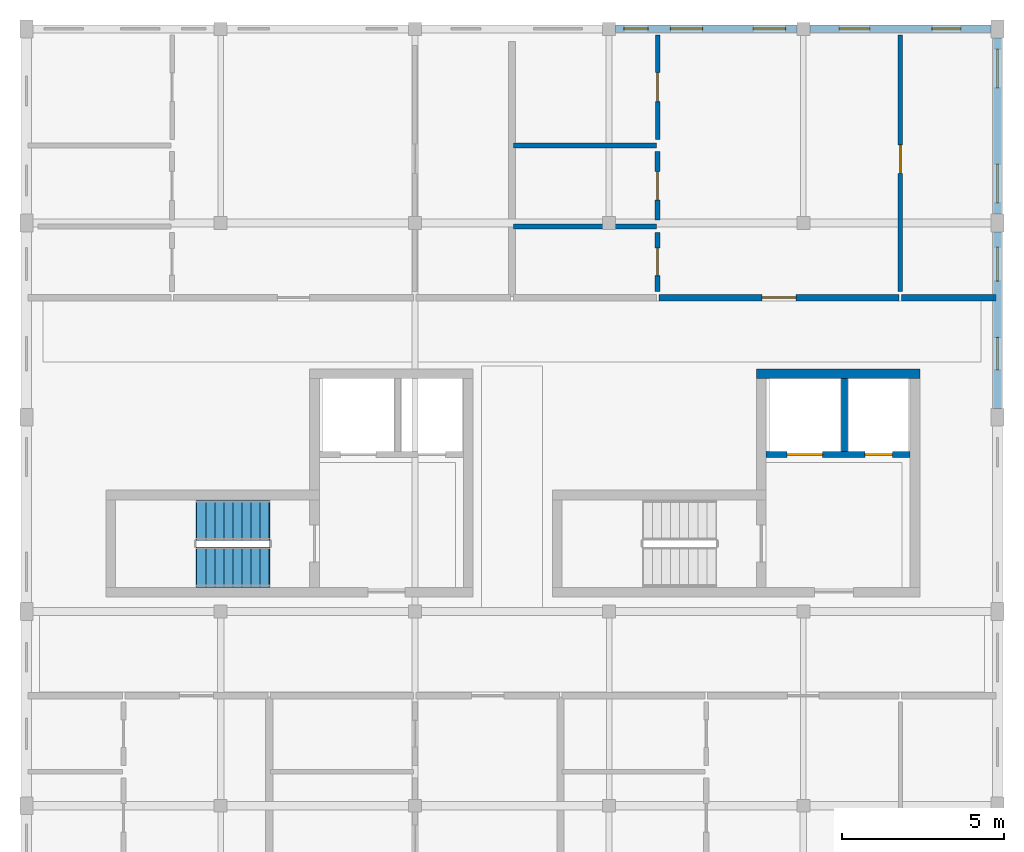
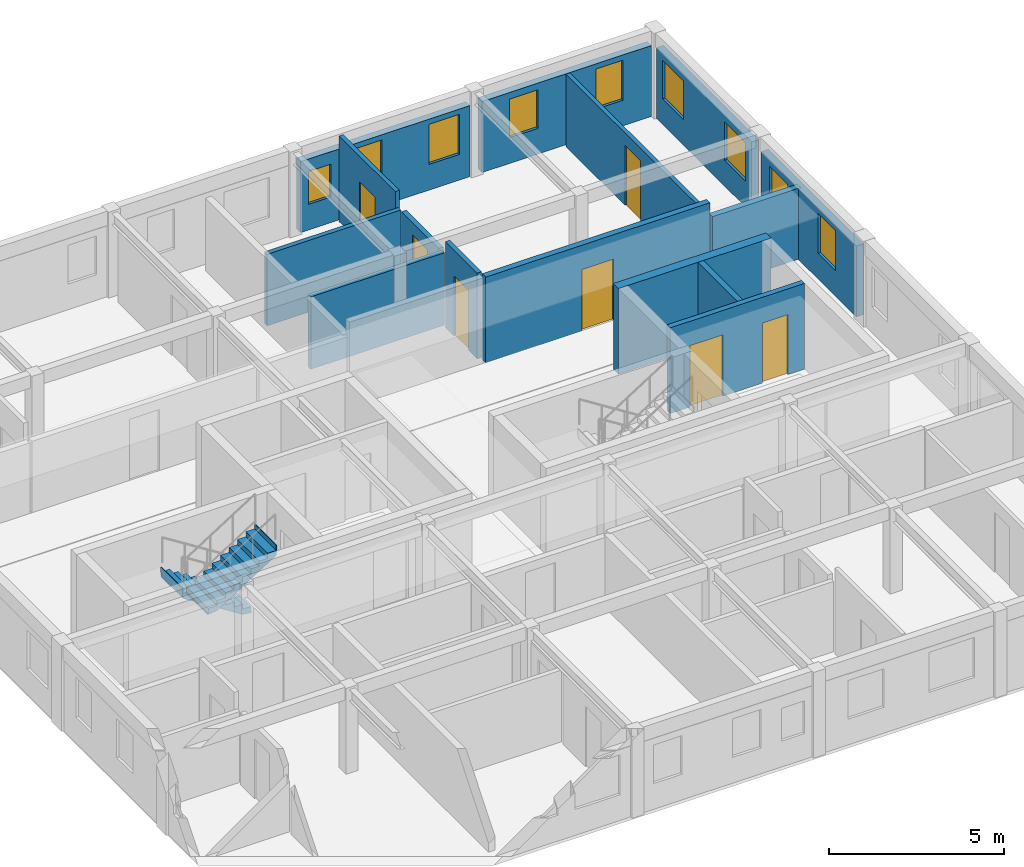
# One storey, part 5 of 7: 15 walls, 9 windows, 7 doors, 2 stair flights, 16 openings, 1 element without a shape of its own.
"""IFC4 building model written with IfcOpenShell, lengths in metres."""

from ifc_helpers import new_model, si_unit, direction, frame, frame_2d, origin, place, context, subcontext, project, spatial, polyline, rectangle, outline, extrude, material, layer, layer_set, type_object, element, fill, aggregate, save


model = new_model("IFC4")

# Units and contexts
model_context = context("Model", 3, precision=1e-05, world=origin(), true_north=direction((0.0, 1.0)))
body_context = subcontext(model_context, "Body", "Model", "MODEL_VIEW")
ifc_project = project(units=[si_unit("LENGTHUNIT", "METRE"), si_unit("AREAUNIT", "SQUARE_METRE"), si_unit("VOLUMEUNIT", "CUBIC_METRE"), si_unit("PLANEANGLEUNIT", "RADIAN"), si_unit("MASSUNIT", "GRAM", prefix="KILO"), si_unit("POWERUNIT", "WATT"), si_unit("THERMODYNAMICTEMPERATUREUNIT", "KELVIN")], contexts=[model_context])

# Site, building, storey
site_placement = place(None, origin())
site = spatial("IfcSite", under=ifc_project, at=site_placement, CompositionType="ELEMENT")
building_placement = place(site_placement, origin())
building = spatial("IfcBuilding", under=site, at=building_placement, Name="Ruvembo Vaulted Housing Court", CompositionType="ELEMENT")
storey_placement = place(building_placement, frame((0.0, 0.0, 39.699951171875)))
storey = spatial("IfcBuildingStorey", under=building, at=storey_placement, Name="L12", CompositionType="ELEMENT", Elevation=39.699951171875)

# Wall
ifc_material_1 = material(Name="Concrete C35/45", Category="concrete")
ifc_layer_1 = layer(ifc_material_1, 0.300048828125, Name="Concrete C35/45")
ifc_layer_set_1 = layer_set([ifc_layer_1], Name="Concrete C35/45")
wall_type_1 = type_object("IfcWallType", Name="WL-CORE-300", PredefinedType="SHEAR", material=ifc_layer_set_1)
wall_1_placement = place(storey_placement, frame((27.60009765625, 25.35009765625, 0.0), z_axis=(0.0, 0.0, 1.0), x_axis=(-1.0, 0.0, 0.0)))
element("IfcWall", 1, at=wall_1_placement, inside=storey, type_object=wall_type_1, Name="Core A2 L12 North Shear Wall", PredefinedType="SHEAR", context=body_context, shape_type="SweptSolid", body=[
    extrude(rectangle(XDim=5.050048828125, YDim=0.300048828125, at=frame_2d((2.52490234375, 0.0))), origin(), (0.0, 0.0, 1.0), 3.0),
])

# Wall, opening, door
ifc_material_2 = material(Name="Concrete Blockwork 200", Category="masonry")
ifc_layer_2 = layer(ifc_material_2, 0.199951171875, Name="Concrete Blockwork 200")
ifc_layer_set_2 = layer_set([ifc_layer_2], Name="Concrete Blockwork 200")
wall_type_2 = type_object("IfcWallType", Name="WL-CORR-200", PredefinedType="SOLIDWALL", material=ifc_layer_set_2)
wall_2_placement = place(storey_placement, frame((19.5400390625, 27.699951171875, 0.0), z_axis=(0.0, 0.0, 1.0), x_axis=(1.0, 0.0, 0.0)))
wall_2 = element("IfcWall", 2, at=wall_2_placement, inside=storey, type_object=wall_type_2, Name="L12 Flat A-L12-N2 Entrance WL-INT-L12-02342", PredefinedType="SOLIDWALL", context=body_context, shape_type="SweptSolid", body=[
    extrude(rectangle(XDim=7.419921875, YDim=0.199951171875, at=frame_2d((3.7099609375, 0.0))), origin(), (0.0, 0.0, 1.0), 3.0),
])
opening_1_placement = place(wall_2_placement, frame((3.18505859375, 0.0, 0.0)))
opening_1 = element("IfcOpeningElement", 3, at=opening_1_placement, cuts=wall_2, Name="Opening FD3", PredefinedType="OPENING", context=body_context, shape_type="SweptSolid", body=[
    extrude(rectangle(XDim=1.050048828125, YDim=2.14990234375, at=frame_2d((0.52490234375, 1.074951171875))), frame((0.0, 0.10986328125, 0.0), z_axis=(0.0, -1.0, 0.0), x_axis=(1.0, 0.0, 0.0)), (0.0, 0.0, 1.0), 0.219970703125),
])
ifc_material_3 = material(Name="FSC Hardwood and Engineered Timber", Category="wood")
door_type_1 = type_object("IfcDoorType", Name="DR-FLAT-1050x2150", OperationType="NOTDEFINED", PredefinedType="DOOR", material=ifc_material_3)
door_1_placement = place(opening_1_placement, origin())
door_1 = element("IfcDoor", 4, at=door_1_placement, inside=storey, type_object=door_type_1, Name="L12 Flat A-L12-N2 Entrance Door DR-INT-L12-01295", OperationType="SINGLE_SWING_LEFT", OverallHeight=2.14990234375, OverallWidth=1.050048828125, PredefinedType="DOOR", context=body_context, shape_type="SweptSolid", body=[
    extrude(rectangle(XDim=1.050048828125, YDim=2.14990234375, at=frame_2d((0.52490234375, 1.074951171875))), frame((0.0, 0.02490234375, 0.0), z_axis=(0.0, -1.0, 0.0), x_axis=(1.0, 0.0, 0.0)), (0.0, 0.0, 1.0), 0.050048828125),
])
fill(opening_1, door_1)

# Wall
wall_3_placement = place(storey_placement, frame((27.0400390625, 27.699951171875, 0.0), z_axis=(0.0, 0.0, 1.0), x_axis=(1.0, 0.0, 0.0)))
element("IfcWall", 5, at=wall_3_placement, inside=storey, type_object=wall_type_2, Name="L12 Flat A-L12-N2 Corridor Wall 2 WL-INT-L12-02348", PredefinedType="SOLIDWALL", context=body_context, shape_type="SweptSolid", body=[
    extrude(rectangle(XDim=2.919921875, YDim=0.199951171875, at=frame_2d((1.4599609375, 0.0))), origin(), (0.0, 0.0, 1.0), 2.48193359375),
])

# Wall, openings, windows
ifc_material_4 = material(Name="Rendered Masonry 235", Category="masonry")
ifc_layer_3 = layer(ifc_material_4, 0.235107421875, Name="Rendered Masonry 235")
ifc_layer_set_3 = layer_set([ifc_layer_3], Name="Rendered Masonry 235")
wall_type_3 = type_object("IfcWallType", Name="WL-EXT-235", PredefinedType="STANDARD", material=ifc_layer_set_3)
wall_4_placement = place(storey_placement, frame((30.0, 24.27490234375, 0.0), z_axis=(0.0, 0.0, 1.0), x_axis=(0.0, 1.0, 0.0)))
wall_4 = element("IfcWall", 6, at=wall_4_placement, inside=storey, type_object=wall_type_3, Name="Block A L12 Exterior Wall EAST #4", PredefinedType="STANDARD", context=body_context, shape_type="SweptSolid", body=[
    extrude(rectangle(XDim=5.4501953125, YDim=0.235107421875, at=frame_2d((2.72509765625, 0.0))), origin(), (0.0, 0.0, 1.0), 2.48193359375),
])
opening_2_placement = place(wall_4_placement, frame((1.1923828125, 0.0, 0.89990234375)))
opening_2 = element("IfcOpeningElement", 7, at=opening_2_placement, cuts=wall_4, Name="Opening W08", PredefinedType="OPENING", context=body_context, shape_type="SweptSolid", body=[
    extrude(rectangle(XDim=1.0, YDim=1.39990234375, at=frame_2d((0.5, 0.699951171875))), frame((0.0, 0.12744140625, 0.0), z_axis=(0.0, -1.0, 0.0), x_axis=(1.0, 0.0, 0.0)), (0.0, 0.0, 1.0), 0.255126953125),
])
opening_3_placement = place(wall_4_placement, frame((3.9326171875, 0.0, 0.89990234375)))
opening_3 = element("IfcOpeningElement", 8, at=opening_3_placement, cuts=wall_4, Name="Opening W09", PredefinedType="OPENING", context=body_context, shape_type="SweptSolid", body=[
    extrude(rectangle(XDim=1.050048828125, YDim=1.35009765625, at=frame_2d((0.52490234375, 0.675048828125))), frame((0.0, 0.12744140625, 0.0), z_axis=(0.0, -1.0, 0.0), x_axis=(1.0, 0.0, 0.0)), (0.0, 0.0, 1.0), 0.255126953125),
])
ifc_material_5 = material(Name="Double Solar-Control Glazing in Aluminium Frame", Category="aluminium")
window_type_1 = type_object("IfcWindowType", Name="WIN-1000x1400", PartitioningType="SINGLE_PANEL", PredefinedType="WINDOW", material=ifc_material_5)
window_1_placement = place(opening_2_placement, origin())
window_1 = element("IfcWindow", 9, at=window_1_placement, inside=storey, type_object=window_type_1, Name="Block A L12 Window #530", OverallHeight=1.39990234375, OverallWidth=1.0, PartitioningType="SINGLE_PANEL", PredefinedType="WINDOW", context=body_context, shape_type="SweptSolid", body=[
    extrude(rectangle(XDim=1.0, YDim=1.39990234375, at=frame_2d((0.5, 0.699951171875))), frame((0.0, 0.030029296875, 0.0), z_axis=(0.0, -1.0, 0.0), x_axis=(1.0, 0.0, 0.0)), (0.0, 0.0, 1.0), 0.06005859375),
])
fill(opening_2, window_1)
window_type_2 = type_object("IfcWindowType", Name="WIN-1050x1350", PartitioningType="SINGLE_PANEL", PredefinedType="WINDOW", material=ifc_material_5)
window_2_placement = place(opening_3_placement, origin())
window_2 = element("IfcWindow", 10, at=window_2_placement, inside=storey, type_object=window_type_2, Name="Block A L12 Window #531", OverallHeight=1.35009765625, OverallWidth=1.050048828125, PartitioningType="SINGLE_PANEL", PredefinedType="WINDOW", context=body_context, shape_type="SweptSolid", body=[
    extrude(rectangle(XDim=1.050048828125, YDim=1.35009765625, at=frame_2d((0.52490234375, 0.675048828125))), frame((0.0, 0.030029296875, 0.0), z_axis=(0.0, -1.0, 0.0), x_axis=(1.0, 0.0, 0.0)), (0.0, 0.0, 1.0), 0.06005859375),
])
fill(opening_3, window_2)

wall_5_placement = place(storey_placement, frame((30.0, 30.27490234375, 0.0), z_axis=(0.0, 0.0, 1.0), x_axis=(0.0, 1.0, 0.0)))
wall_5 = element("IfcWall", 11, at=wall_5_placement, inside=storey, type_object=wall_type_3, Name="Block A L12 Exterior Wall EAST #5", PredefinedType="STANDARD", context=body_context, shape_type="SweptSolid", body=[
    extrude(rectangle(XDim=5.4501953125, YDim=0.235107421875, at=frame_2d((2.72509765625, 0.0))), origin(), (0.0, 0.0, 1.0), 2.48193359375),
])
opening_4_placement = place(wall_5_placement, frame((0.35009765625, 0.0, 0.89990234375)))
opening_4 = element("IfcOpeningElement", 12, at=opening_4_placement, cuts=wall_5, Name="Opening W12", PredefinedType="OPENING", context=body_context, shape_type="SweptSolid", body=[
    extrude(rectangle(XDim=1.199951171875, YDim=1.35009765625, at=frame_2d((0.60009765625, 0.675048828125))), frame((0.0, 0.12744140625, 0.0), z_axis=(0.0, -1.0, 0.0), x_axis=(1.0, 0.0, 0.0)), (0.0, 0.0, 1.0), 0.255126953125),
])
opening_5_placement = place(wall_5_placement, frame((3.89990234375, 0.0, 0.89990234375)))
opening_5 = element("IfcOpeningElement", 13, at=opening_5_placement, cuts=wall_5, Name="Opening W12", PredefinedType="OPENING", context=body_context, shape_type="SweptSolid", body=[
    extrude(rectangle(XDim=1.199951171875, YDim=1.35009765625, at=frame_2d((0.60009765625, 0.675048828125))), frame((0.0, 0.12744140625, 0.0), z_axis=(0.0, -1.0, 0.0), x_axis=(1.0, 0.0, 0.0)), (0.0, 0.0, 1.0), 0.255126953125),
])
window_type_3 = type_object("IfcWindowType", Name="WIN-1200x1350", PartitioningType="SINGLE_PANEL", PredefinedType="WINDOW", material=ifc_material_5)
window_3_placement = place(opening_4_placement, origin())
window_3 = element("IfcWindow", 14, at=window_3_placement, inside=storey, type_object=window_type_3, Name="Block A L12 Window #532", OverallHeight=1.35009765625, OverallWidth=1.199951171875, PartitioningType="SINGLE_PANEL", PredefinedType="WINDOW", context=body_context, shape_type="SweptSolid", body=[
    extrude(rectangle(XDim=1.199951171875, YDim=1.35009765625, at=frame_2d((0.60009765625, 0.675048828125))), frame((0.0, 0.030029296875, 0.0), z_axis=(0.0, -1.0, 0.0), x_axis=(1.0, 0.0, 0.0)), (0.0, 0.0, 1.0), 0.06005859375),
])
fill(opening_4, window_3)
window_4_placement = place(opening_5_placement, origin())
window_4 = element("IfcWindow", 15, at=window_4_placement, inside=storey, type_object=window_type_3, Name="Block A L12 Window #533", OverallHeight=1.35009765625, OverallWidth=1.199951171875, PartitioningType="SINGLE_PANEL", PredefinedType="WINDOW", context=body_context, shape_type="SweptSolid", body=[
    extrude(rectangle(XDim=1.199951171875, YDim=1.35009765625, at=frame_2d((0.60009765625, 0.675048828125))), frame((0.0, 0.030029296875, 0.0), z_axis=(0.0, -1.0, 0.0), x_axis=(1.0, 0.0, 0.0)), (0.0, 0.0, 1.0), 0.06005859375),
])
fill(opening_5, window_4)

wall_6_placement = place(storey_placement, frame((29.800048828125, 36.0, 0.0), z_axis=(0.0, 0.0, 1.0), x_axis=(-1.0, 0.0, 0.0)))
wall_6 = element("IfcWall", 16, at=wall_6_placement, inside=storey, type_object=wall_type_3, Name="Block A L12 Exterior Wall COURTYARD #1", PredefinedType="STANDARD", context=body_context, shape_type="SweptSolid", body=[
    extrude(rectangle(XDim=5.60009765625, YDim=0.235107421875, at=frame_2d((2.800048828125, 0.0))), origin(), (0.0, 0.0, 1.0), 2.48193359375),
])
opening_6_placement = place(wall_6_placement, frame((0.929931640625, 0.0, 0.89990234375)))
opening_6 = element("IfcOpeningElement", 17, at=opening_6_placement, cuts=wall_6, Name="Opening W05", PredefinedType="OPENING", context=body_context, shape_type="SweptSolid", body=[
    extrude(rectangle(XDim=0.89990234375, YDim=1.39990234375, at=frame_2d((0.449951171875, 0.699951171875))), frame((0.0, 0.12744140625, 0.0), z_axis=(0.0, -1.0, 0.0), x_axis=(1.0, 0.0, 0.0)), (0.0, 0.0, 1.0), 0.255126953125),
])
opening_7_placement = place(wall_6_placement, frame((3.7451171875, 0.0, 0.89990234375)))
opening_7 = element("IfcOpeningElement", 18, at=opening_7_placement, cuts=wall_6, Name="Opening W07", PredefinedType="OPENING", context=body_context, shape_type="SweptSolid", body=[
    extrude(rectangle(XDim=0.949951171875, YDim=1.35009765625, at=frame_2d((0.47509765625, 0.675048828125))), frame((0.0, 0.12744140625, 0.0), z_axis=(0.0, -1.0, 0.0), x_axis=(1.0, 0.0, 0.0)), (0.0, 0.0, 1.0), 0.255126953125),
])
window_type_4 = type_object("IfcWindowType", Name="WIN-0900x1400", PartitioningType="SINGLE_PANEL", PredefinedType="WINDOW", material=ifc_material_5)
window_5_placement = place(opening_6_placement, origin())
window_5 = element("IfcWindow", 19, at=window_5_placement, inside=storey, type_object=window_type_4, Name="Block A L12 Window #534", OverallHeight=1.39990234375, OverallWidth=0.89990234375, PartitioningType="SINGLE_PANEL", PredefinedType="WINDOW", context=body_context, shape_type="SweptSolid", body=[
    extrude(rectangle(XDim=0.89990234375, YDim=1.39990234375, at=frame_2d((0.449951171875, 0.699951171875))), frame((0.0, 0.030029296875, 0.0), z_axis=(0.0, -1.0, 0.0), x_axis=(1.0, 0.0, 0.0)), (0.0, 0.0, 1.0), 0.06005859375),
])
fill(opening_6, window_5)
window_type_5 = type_object("IfcWindowType", Name="WIN-0950x1350", PartitioningType="SINGLE_PANEL", PredefinedType="WINDOW", material=ifc_material_5)
window_6_placement = place(opening_7_placement, origin())
window_6 = element("IfcWindow", 20, at=window_6_placement, inside=storey, type_object=window_type_5, Name="Block A L12 Window #535", OverallHeight=1.35009765625, OverallWidth=0.949951171875, PartitioningType="SINGLE_PANEL", PredefinedType="WINDOW", context=body_context, shape_type="SweptSolid", body=[
    extrude(rectangle(XDim=0.949951171875, YDim=1.35009765625, at=frame_2d((0.47509765625, 0.675048828125))), frame((0.0, 0.030029296875, 0.0), z_axis=(0.0, -1.0, 0.0), x_axis=(1.0, 0.0, 0.0)), (0.0, 0.0, 1.0), 0.06005859375),
])
fill(opening_7, window_6)

wall_7_placement = place(storey_placement, frame((23.800048828125, 36.0, 0.0), z_axis=(0.0, 0.0, 1.0), x_axis=(-1.0, 0.0, 0.0)))
wall_7 = element("IfcWall", 21, at=wall_7_placement, inside=storey, type_object=wall_type_3, Name="Block A L12 Exterior Wall COURTYARD #2", PredefinedType="STANDARD", context=body_context, shape_type="SweptSolid", body=[
    extrude(rectangle(XDim=5.60009765625, YDim=0.235107421875, at=frame_2d((2.800048828125, 0.0))), origin(), (0.0, 0.0, 1.0), 2.48193359375),
])
opening_8_placement = place(wall_7_placement, frame((0.35009765625, 0.0, 0.89990234375)))
opening_8 = element("IfcOpeningElement", 22, at=opening_8_placement, cuts=wall_7, Name="Opening W08", PredefinedType="OPENING", context=body_context, shape_type="SweptSolid", body=[
    extrude(rectangle(XDim=1.0, YDim=1.39990234375, at=frame_2d((0.5, 0.699951171875))), frame((0.0, 0.12744140625, 0.0), z_axis=(0.0, -1.0, 0.0), x_axis=(1.0, 0.0, 0.0)), (0.0, 0.0, 1.0), 0.255126953125),
])
opening_9_placement = place(wall_7_placement, frame((2.909912109375, 0.0, 0.89990234375)))
opening_9 = element("IfcOpeningElement", 23, at=opening_9_placement, cuts=wall_7, Name="Opening W08", PredefinedType="OPENING", context=body_context, shape_type="SweptSolid", body=[
    extrude(rectangle(XDim=1.0, YDim=1.39990234375, at=frame_2d((0.5, 0.699951171875))), frame((0.0, 0.12744140625, 0.0), z_axis=(0.0, -1.0, 0.0), x_axis=(1.0, 0.0, 0.0)), (0.0, 0.0, 1.0), 0.255126953125),
])
opening_10_placement = place(wall_7_placement, frame((4.594970703125, 0.0, 0.89990234375)))
opening_10 = element("IfcOpeningElement", 24, at=opening_10_placement, cuts=wall_7, Name="Opening W01", PredefinedType="OPENING", context=body_context, shape_type="SweptSolid", body=[
    extrude(rectangle(XDim=0.75, YDim=1.14990234375, at=frame_2d((0.375, 0.574951171875))), frame((0.0, 0.12744140625, 0.0), z_axis=(0.0, -1.0, 0.0), x_axis=(1.0, 0.0, 0.0)), (0.0, 0.0, 1.0), 0.255126953125),
])
window_type_6 = type_object("IfcWindowType", Name="WIN-0750x1150", PartitioningType="SINGLE_PANEL", PredefinedType="WINDOW", material=ifc_material_5)
window_7_placement = place(opening_10_placement, origin())
window_7 = element("IfcWindow", 25, at=window_7_placement, inside=storey, type_object=window_type_6, Name="Block A L12 Window #538", OverallHeight=1.14990234375, OverallWidth=0.75, PartitioningType="SINGLE_PANEL", PredefinedType="WINDOW", context=body_context, shape_type="SweptSolid", body=[
    extrude(rectangle(XDim=0.75, YDim=1.14990234375, at=frame_2d((0.375, 0.574951171875))), frame((0.0, 0.030029296875, 0.0), z_axis=(0.0, -1.0, 0.0), x_axis=(1.0, 0.0, 0.0)), (0.0, 0.0, 1.0), 0.06005859375),
])
fill(opening_10, window_7)
window_8_placement = place(opening_8_placement, origin())
window_8 = element("IfcWindow", 26, at=window_8_placement, inside=storey, type_object=window_type_1, Name="Block A L12 Window #536", OverallHeight=1.39990234375, OverallWidth=1.0, PartitioningType="SINGLE_PANEL", PredefinedType="WINDOW", context=body_context, shape_type="SweptSolid", body=[
    extrude(rectangle(XDim=1.0, YDim=1.39990234375, at=frame_2d((0.5, 0.699951171875))), frame((0.0, 0.030029296875, 0.0), z_axis=(0.0, -1.0, 0.0), x_axis=(1.0, 0.0, 0.0)), (0.0, 0.0, 1.0), 0.06005859375),
])
fill(opening_8, window_8)
window_9_placement = place(opening_9_placement, origin())
window_9 = element("IfcWindow", 27, at=window_9_placement, inside=storey, type_object=window_type_1, Name="Block A L12 Window #537", OverallHeight=1.39990234375, OverallWidth=1.0, PartitioningType="SINGLE_PANEL", PredefinedType="WINDOW", context=body_context, shape_type="SweptSolid", body=[
    extrude(rectangle(XDim=1.0, YDim=1.39990234375, at=frame_2d((0.5, 0.699951171875))), frame((0.0, 0.030029296875, 0.0), z_axis=(0.0, -1.0, 0.0), x_axis=(1.0, 0.0, 0.0)), (0.0, 0.0, 1.0), 0.06005859375),
])
fill(opening_9, window_9)

# Wall, opening, door
ifc_material_6 = material(Name="Acoustic Stud Partition 135", Category="gypsum")
ifc_layer_4 = layer(ifc_material_6, 0.135009765625, Name="Acoustic Stud Partition 135")
ifc_layer_set_4 = layer_set([ifc_layer_4], Name="Acoustic Stud Partition 135")
wall_type_4 = type_object("IfcWallType", Name="WL-PART-135", PredefinedType="PARTITIONING", material=ifc_layer_set_4)
wall_8_placement = place(storey_placement, frame((19.5, 32.590087890625, 0.0), z_axis=(0.0, 0.0, 1.0), x_axis=(0.0, 1.0, 0.0)))
wall_8 = element("IfcWall", 28, at=wall_8_placement, inside=storey, type_object=wall_type_4, Name="L12 Flat A-L12-N2 Bedroom 1 WL-INT-L12-02343", PredefinedType="PARTITIONING", context=body_context, shape_type="SweptSolid", body=[
    extrude(rectangle(XDim=3.219970703125, YDim=0.135009765625, at=frame_2d((1.60986328125, 0.0))), origin(), (0.0, 0.0, 1.0), 3.0),
])
opening_11_placement = place(wall_8_placement, frame((1.159912109375, 0.0, 0.0)))
opening_11 = element("IfcOpeningElement", 29, at=opening_11_placement, cuts=wall_8, Name="Opening ID1", PredefinedType="OPENING", context=body_context, shape_type="SweptSolid", body=[
    extrude(rectangle(XDim=0.89990234375, YDim=2.10009765625, at=frame_2d((0.449951171875, 1.050048828125))), frame((0.0, 0.077392578125, 0.0), z_axis=(0.0, -1.0, 0.0), x_axis=(1.0, 0.0, 0.0)), (0.0, 0.0, 1.0), 0.155029296875),
])
door_type_2 = type_object("IfcDoorType", Name="DR-ROOM-0900x2100", OperationType="NOTDEFINED", PredefinedType="DOOR", material=ifc_material_3)
door_2_placement = place(opening_11_placement, origin())
door_2 = element("IfcDoor", 30, at=door_2_placement, inside=storey, type_object=door_type_2, Name="L12 Flat A-L12-N2 Bedroom 1 Door DR-INT-L12-01296", OperationType="SINGLE_SWING_RIGHT", OverallHeight=2.10009765625, OverallWidth=0.89990234375, PredefinedType="DOOR", context=body_context, shape_type="SweptSolid", body=[
    extrude(rectangle(XDim=0.89990234375, YDim=2.10009765625, at=frame_2d((0.449951171875, 1.050048828125))), frame((0.0, 0.02490234375, 0.0), z_axis=(0.0, -1.0, 0.0), x_axis=(1.0, 0.0, 0.0)), (0.0, 0.0, 1.0), 0.050048828125),
])
fill(opening_11, door_2)

wall_9_placement = place(storey_placement, frame((27.0, 27.889892578125, 0.0), z_axis=(0.0, 0.0, 1.0), x_axis=(0.0, 1.0, 0.0)))
wall_9 = element("IfcWall", 31, at=wall_9_placement, inside=storey, type_object=wall_type_4, Name="L12 Flat A-L12-N2 Bedroom 2 WL-INT-L12-02349", PredefinedType="PARTITIONING", context=body_context, shape_type="SweptSolid", body=[
    extrude(rectangle(XDim=7.920166015625, YDim=0.135009765625, at=frame_2d((3.9599609375, 0.0))), origin(), (0.0, 0.0, 1.0), 2.531982421875),
])
opening_12_placement = place(wall_9_placement, frame((3.64990234375, 0.0, 0.0)))
opening_12 = element("IfcOpeningElement", 32, at=opening_12_placement, cuts=wall_9, Name="Opening ID3", PredefinedType="OPENING", context=body_context, shape_type="SweptSolid", body=[
    extrude(rectangle(XDim=0.8798828125, YDim=2.10009765625, at=frame_2d((0.43994140625, 1.050048828125))), frame((0.0, 0.077392578125, 0.0), z_axis=(0.0, -1.0, 0.0), x_axis=(1.0, 0.0, 0.0)), (0.0, 0.0, 1.0), 0.155029296875),
])
door_type_3 = type_object("IfcDoorType", Name="DR-ROOM-0880x2100", OperationType="NOTDEFINED", PredefinedType="DOOR", material=ifc_material_3)
door_3_placement = place(opening_12_placement, origin())
door_3 = element("IfcDoor", 33, at=door_3_placement, inside=storey, type_object=door_type_3, Name="L12 Flat A-L12-N2 Bedroom 2 Door DR-INT-L12-01299", OperationType="SINGLE_SWING_LEFT", OverallHeight=2.10009765625, OverallWidth=0.8798828125, PredefinedType="DOOR", context=body_context, shape_type="SweptSolid", body=[
    extrude(rectangle(XDim=0.8798828125, YDim=2.10009765625, at=frame_2d((0.43994140625, 1.050048828125))), frame((0.0, 0.02490234375, 0.0), z_axis=(0.0, -1.0, 0.0), x_axis=(1.0, 0.0, 0.0)), (0.0, 0.0, 1.0), 0.050048828125),
])
fill(opening_12, door_3)

ifc_material_7 = material(Name="Moisture-Resistant Wet Partition 150", Category="gypsum")
ifc_layer_5 = layer(ifc_material_7, 0.14990234375, Name="Moisture-Resistant Wet Partition 150")
ifc_layer_set_5 = layer_set([ifc_layer_5], Name="Moisture-Resistant Wet Partition 150")
wall_type_5 = type_object("IfcWallType", Name="WL-PART-150", PredefinedType="PARTITIONING", material=ifc_layer_set_5)
wall_10_placement = place(storey_placement, frame((19.5, 27.889892578125, 0.0), z_axis=(0.0, 0.0, 1.0), x_axis=(0.0, 1.0, 0.0)))
wall_10 = element("IfcWall", 34, at=wall_10_placement, inside=storey, type_object=wall_type_5, Name="L12 Flat A-L12-N2 Bathroom WL-INT-L12-02345", PredefinedType="PARTITIONING", context=body_context, shape_type="SweptSolid", body=[
    extrude(rectangle(XDim=1.820068359375, YDim=0.14990234375, at=frame_2d((0.91015625, 0.0))), origin(), (0.0, 0.0, 1.0), 3.0),
])
opening_13_placement = place(wall_10_placement, frame((0.485107421875, 0.0, 0.0)))
opening_13 = element("IfcOpeningElement", 35, at=opening_13_placement, cuts=wall_10, Name="Opening ID2", PredefinedType="OPENING", context=body_context, shape_type="SweptSolid", body=[
    extrude(rectangle(XDim=0.85009765625, YDim=2.10009765625, at=frame_2d((0.425048828125, 1.050048828125))), frame((0.0, 0.0849609375, 0.0), z_axis=(0.0, -1.0, 0.0), x_axis=(1.0, 0.0, 0.0)), (0.0, 0.0, 1.0), 0.169921875),
])
door_type_4 = type_object("IfcDoorType", Name="DR-WET-0850x2100", OperationType="NOTDEFINED", PredefinedType="DOOR", material=ifc_material_3)
door_4_placement = place(opening_13_placement, origin())
door_4 = element("IfcDoor", 36, at=door_4_placement, inside=storey, type_object=door_type_4, Name="L12 Flat A-L12-N2 Bathroom Door DR-INT-L12-01298", OperationType="SINGLE_SWING_RIGHT", OverallHeight=2.10009765625, OverallWidth=0.85009765625, PredefinedType="DOOR", context=body_context, shape_type="SweptSolid", body=[
    extrude(rectangle(XDim=0.85009765625, YDim=2.10009765625, at=frame_2d((0.425048828125, 1.050048828125))), frame((0.0, 0.02490234375, 0.0), z_axis=(0.0, -1.0, 0.0), x_axis=(1.0, 0.0, 0.0)), (0.0, 0.0, 1.0), 0.050048828125),
])
fill(opening_13, door_4)

# Walls
wall_11_placement = place(storey_placement, frame((15.0400390625, 32.39990234375, 0.0), z_axis=(0.0, 0.0, 1.0), x_axis=(1.0, 0.0, 0.0)))
element("IfcWall", 37, at=wall_11_placement, inside=storey, type_object=wall_type_5, Name="L12 Flat A-L12-N2 Wet Wall 1 WL-INT-L12-02346", PredefinedType="PARTITIONING", context=body_context, shape_type="SweptSolid", body=[
    extrude(rectangle(XDim=4.419921875, YDim=0.14990234375, at=frame_2d((2.2099609375, 0.0))), origin(), (0.0, 0.0, 1.0), 2.508056640625),
])
wall_12_placement = place(storey_placement, frame((15.0400390625, 29.89990234375, 0.0), z_axis=(0.0, 0.0, 1.0), x_axis=(1.0, 0.0, 0.0)))
element("IfcWall", 38, at=wall_12_placement, inside=storey, type_object=wall_type_5, Name="L12 Flat A-L12-N2 Wet Wall 2 WL-INT-L12-02347", PredefinedType="PARTITIONING", context=body_context, shape_type="SweptSolid", body=[
    extrude(rectangle(XDim=4.419921875, YDim=0.14990234375, at=frame_2d((2.2099609375, 0.0))), origin(), (0.0, 0.0, 1.0), 2.531982421875),
])

# Wall, opening, door
ifc_material_8 = material(Name="Acoustic Service Chase Wall 160", Category="gypsum")
ifc_layer_6 = layer(ifc_material_8, 0.159912109375, Name="Acoustic Service Chase Wall 160")
ifc_layer_set_6 = layer_set([ifc_layer_6], Name="Acoustic Service Chase Wall 160")
wall_type_6 = type_object("IfcWallType", Name="WL-PLUMB-160", PredefinedType="PLUMBINGWALL", material=ifc_layer_set_6)
wall_13_placement = place(storey_placement, frame((19.5, 30.090087890625, 0.0), z_axis=(0.0, 0.0, 1.0), x_axis=(0.0, 1.0, 0.0)))
wall_13 = element("IfcWall", 39, at=wall_13_placement, inside=storey, type_object=wall_type_6, Name="L12 Flat A-L12-N2 Kitchen WL-INT-L12-02344", PredefinedType="PLUMBINGWALL", context=body_context, shape_type="SweptSolid", body=[
    extrude(rectangle(XDim=2.119873046875, YDim=0.159912109375, at=frame_2d((1.06005859375, 0.0))), origin(), (0.0, 0.0, 1.0), 2.531982421875),
])
opening_14_placement = place(wall_13_placement, frame((0.6201171875, 0.0, 0.0)))
opening_14 = element("IfcOpeningElement", 40, at=opening_14_placement, cuts=wall_13, Name="Opening ID3", PredefinedType="OPENING", context=body_context, shape_type="SweptSolid", body=[
    extrude(rectangle(XDim=0.8798828125, YDim=2.10009765625, at=frame_2d((0.43994140625, 1.050048828125))), frame((0.0, 0.08984375, 0.0), z_axis=(0.0, -1.0, 0.0), x_axis=(1.0, 0.0, 0.0)), (0.0, 0.0, 1.0), 0.179931640625),
])
door_5_placement = place(opening_14_placement, origin())
door_5 = element("IfcDoor", 41, at=door_5_placement, inside=storey, type_object=door_type_3, Name="L12 Flat A-L12-N2 Kitchen Door DR-INT-L12-01297", OperationType="SINGLE_SWING_LEFT", OverallHeight=2.10009765625, OverallWidth=0.8798828125, PredefinedType="DOOR", context=body_context, shape_type="SweptSolid", body=[
    extrude(rectangle(XDim=0.8798828125, YDim=2.10009765625, at=frame_2d((0.43994140625, 1.050048828125))), frame((0.0, 0.02490234375, 0.0), z_axis=(0.0, -1.0, 0.0), x_axis=(1.0, 0.0, 0.0)), (0.0, 0.0, 1.0), 0.050048828125),
])
fill(opening_14, door_5)

# Wall, openings, doors
ifc_material_9 = material(Name="Fire-Rated Masonry Shaft 180", Category="masonry")
ifc_layer_7 = layer(ifc_material_9, 0.179931640625, Name="Fire-Rated Masonry Shaft 180")
ifc_layer_set_7 = layer_set([ifc_layer_7], Name="Fire-Rated Masonry Shaft 180")
wall_type_7 = type_object("IfcWallType", Name="WL-SHAFT-180", PredefinedType="SOLIDWALL", material=ifc_layer_set_7)
wall_14_placement = place(storey_placement, frame((22.85009765625, 22.85009765625, 0.0), z_axis=(0.0, 0.0, 1.0), x_axis=(1.0, 0.0, 0.0)))
wall_14 = element("IfcWall", 42, at=wall_14_placement, inside=storey, type_object=wall_type_7, Name="Core A2 L12 Lift and Riser Front Wall", PredefinedType="SOLIDWALL", context=body_context, shape_type="SweptSolid", body=[
    extrude(rectangle(XDim=4.449951171875, YDim=0.179931640625, at=frame_2d((2.22509765625, 0.0))), origin(), (0.0, 0.0, 1.0), 3.0),
])
opening_15_placement = place(wall_14_placement, frame((0.64990234375, 0.0, 0.0)))
opening_15 = element("IfcOpeningElement", 43, at=opening_15_placement, cuts=wall_14, Name="Opening LD-FL-A2-L12", PredefinedType="OPENING", context=body_context, shape_type="SweptSolid", body=[
    extrude(rectangle(XDim=1.10009765625, YDim=2.14990234375, at=frame_2d((0.550048828125, 1.074951171875))), frame((0.0, 0.099853515625, 0.0), z_axis=(0.0, -1.0, 0.0), x_axis=(1.0, 0.0, 0.0)), (0.0, 0.0, 1.0), 0.199951171875),
])
opening_16_placement = place(wall_14_placement, frame((3.050048828125, 0.0, 0.0)))
opening_16 = element("IfcOpeningElement", 44, at=opening_16_placement, cuts=wall_14, Name="Opening RD1", PredefinedType="OPENING", context=body_context, shape_type="SweptSolid", body=[
    extrude(rectangle(XDim=0.85009765625, YDim=2.10009765625, at=frame_2d((0.425048828125, 1.050048828125))), frame((0.0, 0.099853515625, 0.0), z_axis=(0.0, -1.0, 0.0), x_axis=(1.0, 0.0, 0.0)), (0.0, 0.0, 1.0), 0.199951171875),
])
ifc_material_10 = material(Name="Brushed Stainless Steel 304", Category="steel")
door_type_5 = type_object("IfcDoorType", Name="DR-LIFT-1100x2150", OperationType="NOTDEFINED", PredefinedType="DOOR", material=ifc_material_10)
door_6_placement = place(opening_15_placement, origin())
door_6 = element("IfcDoor", 45, at=door_6_placement, inside=storey, type_object=door_type_5, Name="Lift FL-A2 L12 Sliding Landing Door", OperationType="SLIDING_TO_LEFT", OverallHeight=2.14990234375, OverallWidth=1.10009765625, PredefinedType="DOOR", context=body_context, shape_type="SweptSolid", body=[
    extrude(rectangle(XDim=1.10009765625, YDim=2.14990234375, at=frame_2d((0.550048828125, 1.074951171875))), frame((0.0, 0.02490234375, 0.0), z_axis=(0.0, -1.0, 0.0), x_axis=(1.0, 0.0, 0.0)), (0.0, 0.0, 1.0), 0.050048828125),
])
fill(opening_15, door_6)
ifc_material_11 = material(Name="Galvanised Painted Steel", Category="steel")
door_type_6 = type_object("IfcDoorType", Name="DR-RISER-0850x2100", OperationType="NOTDEFINED", PredefinedType="DOOR", material=ifc_material_11)
door_7_placement = place(opening_16_placement, frame((0.85009765625, 0.0, 0.0), z_axis=(0.0, 0.0, 1.0), x_axis=(-1.0, 0.0, 0.0)))
door_7 = element("IfcDoor", 46, at=door_7_placement, inside=storey, type_object=door_type_6, Name="Core A2 L12 Service Riser Door", OperationType="SINGLE_SWING_RIGHT", OverallHeight=2.10009765625, OverallWidth=0.85009765625, PredefinedType="DOOR", context=body_context, shape_type="SweptSolid", body=[
    extrude(rectangle(XDim=0.85009765625, YDim=2.10009765625, at=frame_2d((0.425048828125, 1.050048828125))), frame((0.0, 0.02490234375, 0.0), z_axis=(0.0, -1.0, 0.0), x_axis=(1.0, 0.0, 0.0)), (0.0, 0.0, 1.0), 0.050048828125),
])
fill(opening_16, door_7)

# Wall
wall_15_placement = place(storey_placement, frame((25.27001953125, 22.93994140625, 0.0), z_axis=(0.0, 0.0, 1.0), x_axis=(0.0, 1.0, 0.0)))
element("IfcWall", 47, at=wall_15_placement, inside=storey, type_object=wall_type_7, Name="Core A2 L12 Shaft-Riser Divider Wall", PredefinedType="SOLIDWALL", context=body_context, shape_type="SweptSolid", body=[
    extrude(rectangle(XDim=2.260009765625, YDim=0.179931640625, at=frame_2d((1.1298828125, 0.0))), origin(), (0.0, 0.0, 1.0), 3.0),
])

# Stair, stair flights
stair_type = type_object("IfcStairType", Name="STR-CORE-1250", PredefinedType="HALF_TURN_STAIR", material=ifc_material_1)
stair_placement = place(storey_placement, origin())
stair = element("IfcStair", 48, at=stair_placement, inside=storey, type_object=stair_type, Name="L12 Protected Exit Stair ST-A1", PredefinedType="HALF_TURN_STAIR")
stair_flight_type = type_object("IfcStairFlightType", Name="SFL-1250", PredefinedType="STRAIGHT", material=ifc_material_1)
stair_flight_1_placement = place(storey_placement, frame((7.5, 20.824951171875, 0.0), z_axis=(0.0, 0.0, 1.0), x_axis=(-1.0, 0.0, 0.0)))
stair_flight_1 = element("IfcStairFlight", 49, at=stair_flight_1_placement, type_object=stair_flight_type, Name="ST-A1 flight 1", NumberOfRisers=9, NumberOfTreads=8, PredefinedType="STRAIGHT", RiserHeight=0.177777778, TreadLength=0.28, context=body_context, shape_type="SweptSolid", body=[
    extrude(outline(polyline([(-0.02490234375, -0.0400390625), (-0.02490234375, 0.0), (0.0, 0.0), (0.0, 0.177734375), (0.280029296875, 0.177734375), (0.280029296875, 0.35546875), (0.56005859375, 0.35546875), (0.56005859375, 0.533447265625), (0.840087890625, 0.533447265625), (0.840087890625, 0.711181640625), (1.1201171875, 0.711181640625), (1.1201171875, 0.888916015625), (1.39990234375, 0.888916015625), (1.39990234375, 1.066650390625), (1.679931640625, 1.066650390625), (1.679931640625, 1.244384765625), (1.9599609375, 1.244384765625), (1.9599609375, 1.422119140625), (2.239990234375, 1.422119140625), (2.239990234375, 1.60009765625), (2.264892578125, 1.60009765625), (2.264892578125, 1.4501953125), (2.239990234375, 1.24462890625), (0.27978515625, 0.0), (0.0, -0.0400390625), (-0.02490234375, -0.0400390625)])), frame((0.0, 0.625, 0.0), z_axis=(0.0, -1.0, 0.0), x_axis=(1.0, 0.0, 0.0)), (0.0, 0.0, 1.0), 1.25),
])
stair_flight_2_placement = place(storey_placement, frame((5.260009765625, 19.375, 1.60009765625), z_axis=(0.0, 0.0, 1.0), x_axis=(1.0, 0.0, 0.0)))
stair_flight_2 = element("IfcStairFlight", 50, at=stair_flight_2_placement, type_object=stair_flight_type, Name="ST-A1 flight 2", NumberOfRisers=9, NumberOfTreads=8, PredefinedType="STRAIGHT", RiserHeight=0.177777778, TreadLength=0.28, context=body_context, shape_type="SweptSolid", body=[
    extrude(outline(polyline([(-0.02490234375, -0.0400390625), (-0.02490234375, 0.0), (0.0, 0.0), (0.0, 0.177734375), (0.280029296875, 0.177734375), (0.280029296875, 0.35546875), (0.56005859375, 0.35546875), (0.56005859375, 0.533447265625), (0.840087890625, 0.533447265625), (0.840087890625, 0.711181640625), (1.1201171875, 0.711181640625), (1.1201171875, 0.888916015625), (1.39990234375, 0.888916015625), (1.39990234375, 1.066650390625), (1.679931640625, 1.066650390625), (1.679931640625, 1.244384765625), (1.9599609375, 1.244384765625), (1.9599609375, 1.422119140625), (2.239990234375, 1.422119140625), (2.239990234375, 1.60009765625), (2.264892578125, 1.60009765625), (2.264892578125, 1.4501953125), (2.239990234375, 1.24462890625), (0.27978515625, 0.0), (0.0, -0.0400390625), (-0.02490234375, -0.0400390625)])), frame((0.0, 0.625, 0.0), z_axis=(0.0, -1.0, 0.0), x_axis=(1.0, 0.0, 0.0)), (0.0, 0.0, 1.0), 1.25),
])
aggregate(stair, [stair_flight_1, stair_flight_2])

save(model, "model.ifc")
